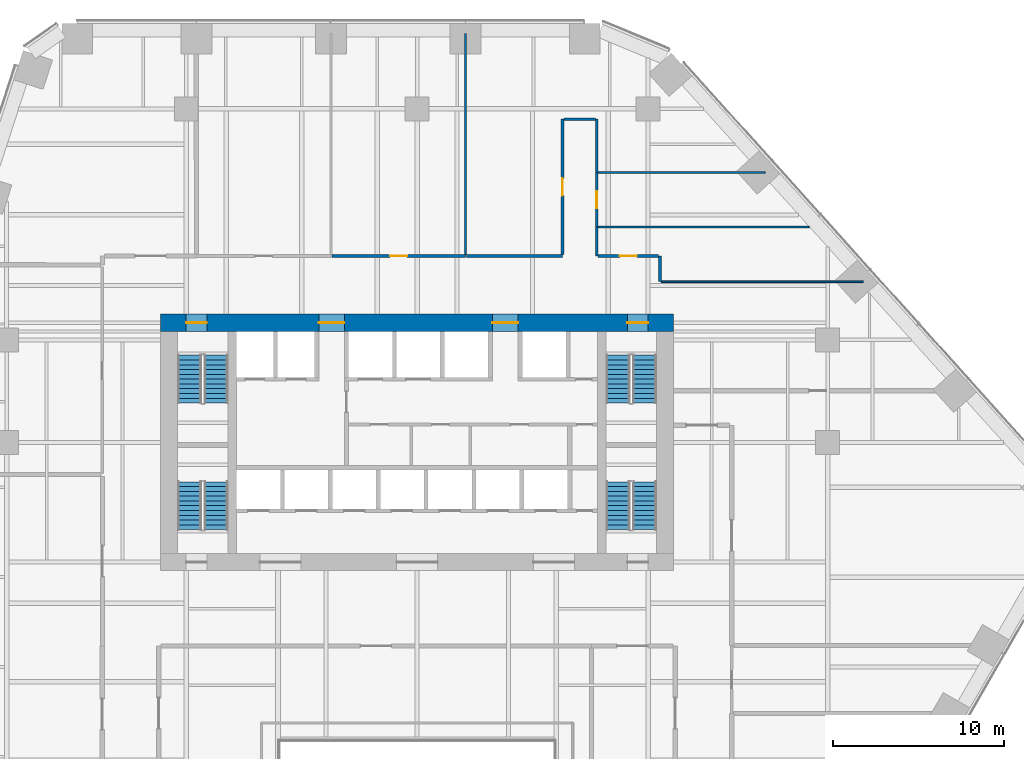
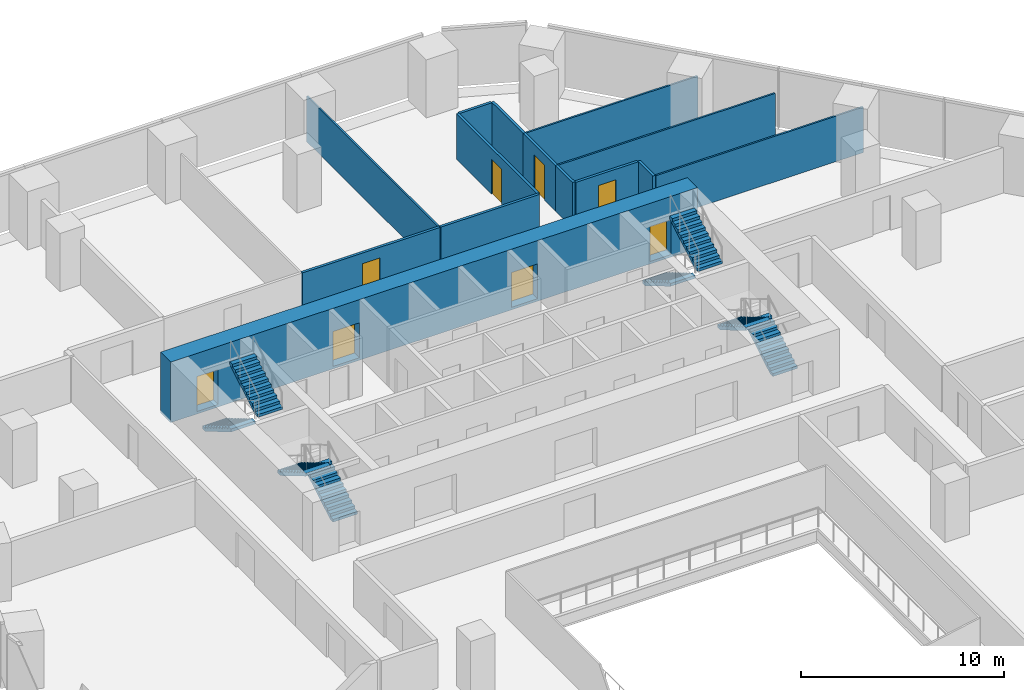
# One storey, part 16 of 20: 14 walls, 8 doors, 8 stair flights, 8 openings, 4 elements without a shape of their own.
"""IFC4 building model written with IfcOpenShell, lengths in metres."""

import ifcopenshell
import ifcopenshell.guid

model = None  # the IFC model being written
_history = None  # IfcOwnerHistory: only IFC2X3 demands one
_inside = {}  # id of a spatial element -> (the spatial element, [elements in it])
_under = {}  # id of a project, library or spatial element -> (it, [spatial elements below it])
_declared = {}  # id of a project -> (the project, [libraries it declares])
_typed = {}  # id of a type object -> (the type object, [elements of that type])
_made_of = {}  # id of a material, layer set ... -> (it, [elements and type objects made of it])


def new_model(schema):
    """Start an empty IFC model of exactly this schema.

    Asked for "IFC4X3", IfcOpenShell would pick the latest addendum, in which some entities
    have other attributes; the version numbers below select the first issue.
    IFC2X3 requires an IfcOwnerHistory on every rooted entity: one is made here for all.
    """
    global model, _history
    if schema == "IFC4X3":
        model = ifcopenshell.file(schema_version=(4, 3, 0, 0))
    else:
        model = ifcopenshell.file(schema=schema)
    _inside.clear()
    _under.clear()
    _declared.clear()
    _typed.clear()
    _made_of.clear()
    _history = None
    if model.schema == "IFC2X3":
        org = make("IfcOrganization", Name="unknown")
        user = make(
            "IfcPersonAndOrganization",
            ThePerson=make("IfcPerson", FamilyName="unknown"),
            TheOrganization=org,
        )
        app = make(
            "IfcApplication",
            ApplicationDeveloper=org,
            Version="unknown",
            ApplicationFullName="unknown",
            ApplicationIdentifier="unknown",
        )
        _history = make(
            "IfcOwnerHistory",
            OwningUser=user,
            OwningApplication=app,
            ChangeAction="ADDED",
            CreationDate=0,
        )
    return model


def make(cls, **values):
    """One entity of the class cls with the attributes given. An attribute that is None is left unset."""
    return model.create_entity(
        cls, **{name: value for name, value in values.items() if value is not None}
    )


def rooted(cls, **values):
    """An entity with a GlobalId (a new one), such as an element, a storey or a relation."""
    return make(cls, GlobalId=ifcopenshell.guid.new(), OwnerHistory=_history, **values)


def si_unit(unit_type, name, prefix=None):
    """IfcSIUnit, for example si_unit("LENGTHUNIT", "METRE", prefix="MILLI")."""
    return make("IfcSIUnit", UnitType=unit_type, Prefix=prefix, Name=name)


def assignment(units):
    """IfcUnitAssignment: the units of a project."""
    return None if units is None else make("IfcUnitAssignment", Units=units)


def point(xyz):
    """IfcCartesianPoint."""
    return None if xyz is None else make("IfcCartesianPoint", Coordinates=xyz)


def direction(xyz):
    """IfcDirection."""
    return None if xyz is None else make("IfcDirection", DirectionRatios=xyz)


def frame(location, z_axis=None, x_axis=None):
    """IfcAxis2Placement3D, a coordinate frame: its origin and axes. An axis left out is left unset."""
    return make(
        "IfcAxis2Placement3D",
        Location=point(location),
        Axis=direction(z_axis),
        RefDirection=direction(x_axis),
    )


def frame_2d(location, x_axis=None):
    """IfcAxis2Placement2D, a coordinate frame in the plane: its origin and x axis."""
    return make(
        "IfcAxis2Placement2D", Location=point(location), RefDirection=direction(x_axis)
    )


def origin():
    """The frame at (0, 0, 0) with its axes left unset."""
    return frame((0.0, 0.0, 0.0))


def place(relative_to, where):
    """IfcLocalPlacement: puts the frame where relative to a parent placement (None: the world)."""
    return make(
        "IfcLocalPlacement", PlacementRelTo=relative_to, RelativePlacement=where
    )


def context(
    kind, dimensions, precision=None, world=None, true_north=None, identifier=None
):
    """IfcGeometricRepresentationContext, for example the 3D "Model" context."""
    return make(
        "IfcGeometricRepresentationContext",
        ContextIdentifier=identifier,
        ContextType=kind,
        CoordinateSpaceDimension=dimensions,
        Precision=precision,
        WorldCoordinateSystem=world,
        TrueNorth=true_north,
    )


def subcontext(parent, identifier, kind, view, scale=None):
    """IfcGeometricRepresentationSubContext, for example "Body" below "Model"."""
    return make(
        "IfcGeometricRepresentationSubContext",
        ContextIdentifier=identifier,
        ContextType=kind,
        ParentContext=parent,
        TargetScale=scale,
        TargetView=view,
    )


def project(units=None, contexts=None):
    """IfcProject with its units and contexts."""
    return rooted(
        "IfcProject",
        Name="project",
        RepresentationContexts=contexts,
        UnitsInContext=assignment(units),
    )


def spatial(cls, under=None, at=None, **own):
    """A site, building, storey or space (cls), placed at a placement, below another one or the project."""
    s = rooted(cls, ObjectPlacement=at, **own)
    if under is not None:
        _under.setdefault(under.id(), (under, []))[1].append(s)
    return s


def polyline(points):
    """IfcPolyline through the points."""
    return make("IfcPolyline", Points=[point(p) for p in points])


def profile(cls, at=None, kind="AREA", **sizes):
    """A parametric profile (cls). Its sizes go by their IFC names, for example OverallWidth=200.0."""
    return make(cls, ProfileType=kind, Position=at, **sizes)


def rectangle(**sizes):
    """IfcRectangleProfileDef."""
    return profile("IfcRectangleProfileDef", **sizes)


def outline(outer, holes=None, kind="AREA"):
    """IfcArbitraryClosedProfileDef: a profile drawn as a closed curve; with holes, ...WithVoids."""
    if holes is None:
        return make("IfcArbitraryClosedProfileDef", ProfileType=kind, OuterCurve=outer)
    return make(
        "IfcArbitraryProfileDefWithVoids",
        ProfileType=kind,
        OuterCurve=outer,
        InnerCurves=holes,
    )


def extrude(swept, where, along, depth):
    """IfcExtrudedAreaSolid: the profile swept, set in the frame where, extruded along a direction by depth."""
    return make(
        "IfcExtrudedAreaSolid",
        SweptArea=swept,
        Position=where,
        ExtrudedDirection=direction(along),
        Depth=depth,
    )


def shape(context_of_items, identifier, shape_type, items):
    """IfcShapeRepresentation: the items that make up one representation, for example the "Body"."""
    return make(
        "IfcShapeRepresentation",
        ContextOfItems=context_of_items,
        RepresentationIdentifier=identifier,
        RepresentationType=shape_type,
        Items=items,
    )


def material(Name=None, Category=None):
    """IfcMaterial."""
    return make("IfcMaterial", Name=Name, Category=Category)


def layer(
    of_material, thickness, ventilated=None, Name=None, Category=None, Priority=None
):
    """IfcMaterialLayer: one layer of a wall or slab, of a material (None: an air gap)."""
    return make(
        "IfcMaterialLayer",
        Material=of_material,
        LayerThickness=thickness,
        IsVentilated=ventilated,
        Name=Name,
        Category=Category,
        Priority=Priority,
    )


def layer_set(layers, Name=None):
    """IfcMaterialLayerSet."""
    return make("IfcMaterialLayerSet", MaterialLayers=layers, LayerSetName=Name)


def made_of(thing, what):
    """Note that an element or type object is made of a material, layer set ...; save() writes the relation."""
    if what is not None:
        _made_of.setdefault(what.id(), (what, []))[1].append(thing)
    return thing


def type_object(cls, material=None, **own):
    """A type object (cls), such as IfcWallType, which elements share."""
    return made_of(rooted(cls, **own), material)


def element(
    cls,
    number,
    at=None,
    inside=None,
    cuts=None,
    type_object=None,
    material=None,
    context=None,
    identifier="Body",
    shape_type=None,
    held_by="IfcProductDefinitionShape",
    body=None,
    shapes=None,
    **own,
):
    """One element of the class cls, such as IfcWall. Its Tag is "e" and its number.

    at: its placement. inside: the storey or other place that contains it. cuts: it is an
    opening in that element (IfcRelVoidsElement). A single representation is given by context,
    identifier, shape_type and body (its items); several are given by shapes. held_by: the class
    of the entity that holds the representations. save() writes the other relations.
    """
    e = rooted(cls, Tag="e%d" % number, ObjectPlacement=at, **own)
    if body is not None:
        shapes = [shape(context, identifier, shape_type, body)]
    if shapes is not None:
        e.Representation = make(held_by, Representations=shapes)
    if inside is not None:
        _inside.setdefault(inside.id(), (inside, []))[1].append(e)
    if cuts is not None:
        rooted(
            "IfcRelVoidsElement", RelatingBuildingElement=cuts, RelatedOpeningElement=e
        )
    if type_object is not None:
        _typed.setdefault(type_object.id(), (type_object, []))[1].append(e)
    return made_of(e, material)


def fill(opening, filler):
    """IfcRelFillsElement: the door or window that sits in an opening."""
    return rooted(
        "IfcRelFillsElement",
        RelatingOpeningElement=opening,
        RelatedBuildingElement=filler,
    )


def aggregate(whole, parts):
    """IfcRelAggregates: a whole, such as a stair, and the parts it consists of."""
    return rooted("IfcRelAggregates", RelatingObject=whole, RelatedObjects=parts)


def save(model, path):
    """Write the relations noted so far, then the file.

    IfcRelAggregates (storeys below a building ...), IfcRelContainedInSpatialStructure (elements
    in a storey), IfcRelDefinesByType, IfcRelAssociatesMaterial and IfcRelDeclares: one each for
    every whole, place, type object, material and project.
    """
    for whole, parts in _under.values():
        aggregate(whole, parts)
    for where, things in _inside.values():
        rooted(
            "IfcRelContainedInSpatialStructure",
            RelatedElements=things,
            RelatingStructure=where,
        )
    for kind, things in _typed.values():
        rooted("IfcRelDefinesByType", RelatedObjects=things, RelatingType=kind)
    for what, things in _made_of.values():
        rooted("IfcRelAssociatesMaterial", RelatedObjects=things, RelatingMaterial=what)
    for by, libraries in _declared.values():
        rooted("IfcRelDeclares", RelatingContext=by, RelatedDefinitions=libraries)
    model.write(path)


model = new_model("IFC4")

# Units and contexts
model_context = context("Model", 3, precision=1e-05, world=origin(), true_north=direction((0.0, 1.0)))
body_context = subcontext(model_context, "Body", "Model", "MODEL_VIEW")
ifc_project = project(units=[si_unit("LENGTHUNIT", "METRE"), si_unit("AREAUNIT", "SQUARE_METRE"), si_unit("VOLUMEUNIT", "CUBIC_METRE"), si_unit("PLANEANGLEUNIT", "RADIAN"), si_unit("MASSUNIT", "GRAM", prefix="KILO")], contexts=[model_context])

# Site, building, storey
site_placement = place(None, origin())
site = spatial("IfcSite", under=ifc_project, at=site_placement, CompositionType="ELEMENT")
building_placement = place(site_placement, origin())
building = spatial("IfcBuilding", under=site, at=building_placement, Name="Isthmus Gate Tower", CompositionType="ELEMENT")
storey_placement = place(building_placement, frame((0.0, 0.0, 43.300048828125)))
storey = spatial("IfcBuildingStorey", under=building, at=storey_placement, Name="L08", CompositionType="ELEMENT", Elevation=43.300048828125)

# Wall
ifc_material_1 = material(Name="Gypsum board on steel studs, fire-rated", Category="steel")
ifc_layer_1 = layer(ifc_material_1, 0.14990234375)
ifc_layer_set_1 = layer_set([ifc_layer_1], Name="CORRIDOR WALL 150 60 MIN")
wall_type_1 = type_object("IfcWallType", Name="CORRIDOR WALL 150 60 MIN", PredefinedType="PARTITIONING", material=ifc_layer_set_1)
wall_1_placement = place(storey_placement, frame((10.5, 26.39990234375, 0.0), z_axis=(0.0, 0.0, 1.0), x_axis=(0.0, -1.0, 0.0)))
element("IfcWall", 1, at=wall_1_placement, inside=storey, type_object=wall_type_1, Name="L08 Corridor Wall 150 60 Min", PredefinedType="PARTITIONING", context=body_context, shape_type="SweptSolid", body=[
    extrude(rectangle(XDim=3.116943359375, YDim=0.14990234375, at=frame_2d((1.55859375, 0.0))), origin(), (0.0, 0.0, 1.0), 2.7412109375),
])

# Wall, opening, door
wall_2_placement = place(storey_placement, frame((10.5, 23.282958984375, 0.0), z_axis=(0.0, 0.0, 1.0), x_axis=(0.0, -1.0, 0.0)))
wall_2 = element("IfcWall", 2, at=wall_2_placement, inside=storey, type_object=wall_type_1, Name="L08 Corridor Wall 150 60 Min", PredefinedType="PARTITIONING", context=body_context, shape_type="SweptSolid", body=[
    extrude(rectangle(XDim=3.19091796875, YDim=0.14990234375, at=frame_2d((1.595458984375, 0.0))), origin(), (0.0, 0.0, 1.0), 2.7412109375),
])
opening_1_placement = place(wall_2_placement, frame((1.095458984375, 0.0, 0.0)))
opening_1 = element("IfcOpeningElement", 3, at=opening_1_placement, cuts=wall_2, Name="Opening DT-T1A-05", PredefinedType="OPENING", context=body_context, shape_type="SweptSolid", body=[
    extrude(rectangle(XDim=1.0, YDim=2.10009765625, at=frame_2d((0.5, 1.050048828125))), frame((0.0, 0.0849609375, 0.0), z_axis=(0.0, -1.0, 0.0), x_axis=(1.0, 0.0, 0.0)), (0.0, 0.0, 1.0), 0.169921875),
])
ifc_material_2 = material(Name="Solid core timber door leaf, fire-rated", Category="wood")
door_type_1 = type_object("IfcDoorType", Name="FIRE DOOR ROOM 1000 X 2100 60 MIN", OperationType="SINGLE_SWING_LEFT", PredefinedType="DOOR", material=ifc_material_2)
door_1_placement = place(opening_1_placement, origin())
door_1 = element("IfcDoor", 4, at=door_1_placement, inside=storey, type_object=door_type_1, Name="L08 room door", OperationType="SINGLE_SWING_RIGHT", OverallHeight=2.10009765625, OverallWidth=1.0, PredefinedType="DOOR", context=body_context, shape_type="SweptSolid", body=[
    extrude(rectangle(XDim=1.0, YDim=2.10009765625, at=frame_2d((0.5, 1.050048828125))), frame((0.0, 0.02490234375, 0.0), z_axis=(0.0, -1.0, 0.0), x_axis=(1.0, 0.0, 0.0)), (0.0, 0.0, 1.0), 0.050048828125),
])
fill(opening_1, door_1)

# Walls
wall_3_placement = place(storey_placement, frame((10.5, 20.092041015625, 0.0), z_axis=(0.0, 0.0, 1.0), x_axis=(0.0, -1.0, 0.0)))
element("IfcWall", 5, at=wall_3_placement, inside=storey, type_object=wall_type_1, Name="L08 Corridor Wall 150 60 Min", PredefinedType="PARTITIONING", context=body_context, shape_type="SweptSolid", body=[
    extrude(rectangle(XDim=1.692138671875, YDim=0.14990234375, at=frame_2d((0.84619140625, 0.0))), origin(), (0.0, 0.0, 1.0), 2.7412109375),
])
wall_4_placement = place(storey_placement, frame((14.199951171875, 18.39990234375, 0.0), z_axis=(0.0, 0.0, 1.0), x_axis=(0.0, -1.0, 0.0)))
element("IfcWall", 6, at=wall_4_placement, inside=storey, type_object=wall_type_1, Name="L08 Corridor Wall 150 60 Min", PredefinedType="PARTITIONING", context=body_context, shape_type="SweptSolid", body=[
    extrude(rectangle(XDim=1.5, YDim=0.14990234375, at=frame_2d((0.75, 0.0))), origin(), (0.0, 0.0, 1.0), 2.7412109375),
])

# Wall, opening, door
wall_5_placement = place(storey_placement, frame((-4.987060546875, 18.39990234375, 0.0), z_axis=(0.0, 0.0, 1.0), x_axis=(1.0, 0.0, 0.0)))
wall_5 = element("IfcWall", 7, at=wall_5_placement, inside=storey, type_object=wall_type_1, Name="L08 Corridor Wall 150 60 Min", PredefinedType="PARTITIONING", context=body_context, shape_type="SweptSolid", body=[
    extrude(rectangle(XDim=7.819091796875, YDim=0.14990234375, at=frame_2d((3.90966796875, 0.0))), origin(), (0.0, 0.0, 1.0), 2.7412109375),
])
opening_2_placement = place(wall_5_placement, frame((3.409423828125, 0.0, 0.0)))
opening_2 = element("IfcOpeningElement", 8, at=opening_2_placement, cuts=wall_5, Name="Opening DT-T1A-03", PredefinedType="OPENING", context=body_context, shape_type="SweptSolid", body=[
    extrude(rectangle(XDim=1.0, YDim=2.10009765625, at=frame_2d((0.5, 1.050048828125))), frame((0.0, 0.0849609375, 0.0), z_axis=(0.0, -1.0, 0.0), x_axis=(1.0, 0.0, 0.0)), (0.0, 0.0, 1.0), 0.169921875),
])
door_2_placement = place(opening_2_placement, origin())
door_2 = element("IfcDoor", 9, at=door_2_placement, inside=storey, type_object=door_type_1, Name="L08 room door", OperationType="SINGLE_SWING_RIGHT", OverallHeight=2.10009765625, OverallWidth=1.0, PredefinedType="DOOR", context=body_context, shape_type="SweptSolid", body=[
    extrude(rectangle(XDim=1.0, YDim=2.10009765625, at=frame_2d((0.5, 1.050048828125))), frame((0.0, 0.02490234375, 0.0), z_axis=(0.0, -1.0, 0.0), x_axis=(1.0, 0.0, 0.0)), (0.0, 0.0, 1.0), 0.050048828125),
])
fill(opening_2, door_2)

# Wall
wall_6_placement = place(storey_placement, frame((2.882080078125, 18.39990234375, 0.0), z_axis=(0.0, 0.0, 1.0), x_axis=(1.0, 0.0, 0.0)))
element("IfcWall", 10, at=wall_6_placement, inside=storey, type_object=wall_type_1, Name="L08 Corridor Wall 150 60 Min", PredefinedType="PARTITIONING", context=body_context, shape_type="SweptSolid", body=[
    extrude(rectangle(XDim=5.617919921875, YDim=0.14990234375, at=frame_2d((2.80908203125, 0.0))), origin(), (0.0, 0.0, 1.0), 2.7412109375),
])

# Wall, opening, door
wall_7_placement = place(storey_placement, frame((8.5, 18.47509765625, 0.0), z_axis=(0.0, 0.0, 1.0), x_axis=(0.0, 1.0, 0.0)))
wall_7 = element("IfcWall", 11, at=wall_7_placement, inside=storey, type_object=wall_type_1, Name="L08 Corridor Wall 150 60 Min", PredefinedType="PARTITIONING", context=body_context, shape_type="SweptSolid", body=[
    extrude(rectangle(XDim=7.9248046875, YDim=0.14990234375, at=frame_2d((3.96240234375, 0.0))), origin(), (0.0, 0.0, 1.0), 2.7412109375),
])
opening_3_placement = place(wall_7_placement, frame((3.46240234375, 0.0, 0.0)))
opening_3 = element("IfcOpeningElement", 12, at=opening_3_placement, cuts=wall_7, Name="Opening DT-T1A-04", PredefinedType="OPENING", context=body_context, shape_type="SweptSolid", body=[
    extrude(rectangle(XDim=1.0, YDim=2.10009765625, at=frame_2d((0.5, 1.050048828125))), frame((0.0, 0.0849609375, 0.0), z_axis=(0.0, -1.0, 0.0), x_axis=(1.0, 0.0, 0.0)), (0.0, 0.0, 1.0), 0.169921875),
])
door_3_placement = place(opening_3_placement, origin())
door_3 = element("IfcDoor", 13, at=door_3_placement, inside=storey, type_object=door_type_1, Name="L08 room door", OperationType="SINGLE_SWING_RIGHT", OverallHeight=2.10009765625, OverallWidth=1.0, PredefinedType="DOOR", context=body_context, shape_type="SweptSolid", body=[
    extrude(rectangle(XDim=1.0, YDim=2.10009765625, at=frame_2d((0.5, 1.050048828125))), frame((0.0, 0.02490234375, 0.0), z_axis=(0.0, -1.0, 0.0), x_axis=(1.0, 0.0, 0.0)), (0.0, 0.0, 1.0), 0.050048828125),
])
fill(opening_3, door_3)

# Wall
wall_8_placement = place(storey_placement, frame((8.574951171875, 26.39990234375, 0.0), z_axis=(0.0, 0.0, 1.0), x_axis=(1.0, 0.0, 0.0)))
element("IfcWall", 14, at=wall_8_placement, inside=storey, type_object=wall_type_1, Name="L08 Corridor Wall 150 60 Min", PredefinedType="PARTITIONING", context=body_context, shape_type="SweptSolid", body=[
    extrude(rectangle(XDim=1.85009765625, YDim=0.14990234375, at=frame_2d((0.925048828125, 0.0))), origin(), (0.0, 0.0, 1.0), 2.7412109375),
])

# Wall, opening, door
wall_9_placement = place(storey_placement, frame((10.574951171875, 18.39990234375, 0.0), z_axis=(0.0, 0.0, 1.0), x_axis=(1.0, 0.0, 0.0)))
wall_9 = element("IfcWall", 15, at=wall_9_placement, inside=storey, type_object=wall_type_1, Name="L08 Corridor Wall 150 60 Min", PredefinedType="PARTITIONING", context=body_context, shape_type="SweptSolid", body=[
    extrude(rectangle(XDim=3.550048828125, YDim=0.14990234375, at=frame_2d((1.77490234375, 0.0))), origin(), (0.0, 0.0, 1.0), 2.7412109375),
])
opening_4_placement = place(wall_9_placement, frame((1.27490234375, 0.0, 0.0)))
opening_4 = element("IfcOpeningElement", 16, at=opening_4_placement, cuts=wall_9, Name="Opening DT-T1A-06", PredefinedType="OPENING", context=body_context, shape_type="SweptSolid", body=[
    extrude(rectangle(XDim=1.0, YDim=2.10009765625, at=frame_2d((0.5, 1.050048828125))), frame((0.0, 0.0849609375, 0.0), z_axis=(0.0, -1.0, 0.0), x_axis=(1.0, 0.0, 0.0)), (0.0, 0.0, 1.0), 0.169921875),
])
door_4_placement = place(opening_4_placement, origin())
door_4 = element("IfcDoor", 17, at=door_4_placement, inside=storey, type_object=door_type_1, Name="L08 room door", OperationType="SINGLE_SWING_RIGHT", OverallHeight=2.10009765625, OverallWidth=1.0, PredefinedType="DOOR", context=body_context, shape_type="SweptSolid", body=[
    extrude(rectangle(XDim=1.0, YDim=2.10009765625, at=frame_2d((0.5, 1.050048828125))), frame((0.0, 0.02490234375, 0.0), z_axis=(0.0, -1.0, 0.0), x_axis=(1.0, 0.0, 0.0)), (0.0, 0.0, 1.0), 0.050048828125),
])
fill(opening_4, door_4)

# Wall, openings, doors
ifc_material_3 = material(Name="Concrete f'c 70 MPa", Category="concrete")
ifc_layer_2 = layer(ifc_material_3, 1.0)
ifc_layer_set_2 = layer_set([ifc_layer_2], Name="RC CORE WALL 1000 F'C 70")
wall_type_2 = type_object("IfcWallType", Name="RC CORE WALL 1000 F'C 70", PredefinedType="SOLIDWALL", material=ifc_layer_set_2)
wall_10_placement = place(storey_placement, frame((-15.0, 14.5, -0.150146484375), z_axis=(0.0, 0.0, 1.0), x_axis=(1.0, 0.0, 0.0)))
wall_10 = element("IfcWall", 18, at=wall_10_placement, inside=storey, type_object=wall_type_2, Name="str-corewall-L08-N", PredefinedType="SOLIDWALL", context=body_context, shape_type="SweptSolid", body=[
    extrude(rectangle(XDim=30.0, YDim=1.0, at=frame_2d((15.0, 0.0))), origin(), (0.0, 0.0, 1.0), 3.650146484375),
])
opening_5_placement = place(wall_10_placement, frame((9.25, 0.0, 0.14990234375)))
opening_5 = element("IfcOpeningElement", 19, at=opening_5_placement, cuts=wall_10, Name="Opening DC-A05-11", PredefinedType="OPENING", context=body_context, shape_type="SweptSolid", body=[
    extrude(rectangle(XDim=1.5, YDim=2.10009765625, at=frame_2d((0.75, 1.050048828125))), frame((0.0, 0.510009765625, 0.0), z_axis=(0.0, -1.0, 0.0), x_axis=(1.0, 0.0, 0.0)), (0.0, 0.0, 1.0), 1.02001953125),
])
opening_6_placement = place(wall_10_placement, frame((19.39990234375, 0.0, 0.14990234375)))
opening_6 = element("IfcOpeningElement", 20, at=opening_6_placement, cuts=wall_10, Name="Opening DC-A05-12", PredefinedType="OPENING", context=body_context, shape_type="SweptSolid", body=[
    extrude(rectangle(XDim=1.5, YDim=2.10009765625, at=frame_2d((0.75, 1.050048828125))), frame((0.0, 0.510009765625, 0.0), z_axis=(0.0, -1.0, 0.0), x_axis=(1.0, 0.0, 0.0)), (0.0, 0.0, 1.0), 1.02001953125),
])
opening_7_placement = place(wall_10_placement, frame((1.5, 0.0, 0.14990234375)))
opening_7 = element("IfcOpeningElement", 21, at=opening_7_placement, cuts=wall_10, Name="Opening DC-A05-13", PredefinedType="OPENING", context=body_context, shape_type="SweptSolid", body=[
    extrude(rectangle(XDim=1.199951171875, YDim=2.10009765625, at=frame_2d((0.60009765625, 1.050048828125))), frame((0.0, 0.510009765625, 0.0), z_axis=(0.0, -1.0, 0.0), x_axis=(1.0, 0.0, 0.0)), (0.0, 0.0, 1.0), 1.02001953125),
])
opening_8_placement = place(wall_10_placement, frame((27.300048828125, 0.0, 0.14990234375)))
opening_8 = element("IfcOpeningElement", 22, at=opening_8_placement, cuts=wall_10, Name="Opening DC-A05-14", PredefinedType="OPENING", context=body_context, shape_type="SweptSolid", body=[
    extrude(rectangle(XDim=1.199951171875, YDim=2.10009765625, at=frame_2d((0.60009765625, 1.050048828125))), frame((0.0, 0.510009765625, 0.0), z_axis=(0.0, -1.0, 0.0), x_axis=(1.0, 0.0, 0.0)), (0.0, 0.0, 1.0), 1.02001953125),
])
ifc_material_4 = material(Name="Steel door leaf, fire-rated", Category="steel")
door_type_2 = type_object("IfcDoorType", Name="LOBBY FIRE DOOR 1500 X 2100 60 MIN", OperationType="DOUBLE_DOOR_SINGLE_SWING", PredefinedType="DOOR", material=ifc_material_4)
door_5_placement = place(opening_6_placement, origin())
door_5 = element("IfcDoor", 23, at=door_5_placement, inside=storey, type_object=door_type_2, Name="Lobby Door PN-E", OperationType="DOUBLE_DOOR_SINGLE_SWING", OverallHeight=2.10009765625, OverallWidth=1.5, PredefinedType="DOOR", context=body_context, shape_type="SweptSolid", body=[
    extrude(rectangle(XDim=1.5, YDim=2.10009765625, at=frame_2d((0.75, 1.050048828125))), frame((0.0, 0.02490234375, 0.0), z_axis=(0.0, -1.0, 0.0), x_axis=(1.0, 0.0, 0.0)), (0.0, 0.0, 1.0), 0.050048828125),
])
fill(opening_6, door_5)
ifc_material_5 = material(Name="Steel door leaf, fire-rated", Category="steel")
door_type_3 = type_object("IfcDoorType", Name="LOBBY FIRE DOOR 1500 X 2100 90 MIN", OperationType="DOUBLE_DOOR_SINGLE_SWING", PredefinedType="DOOR", material=ifc_material_5)
door_6_placement = place(opening_5_placement, origin())
door_6 = element("IfcDoor", 24, at=door_6_placement, inside=storey, type_object=door_type_3, Name="Lobby Door PN-W", OperationType="DOUBLE_DOOR_SINGLE_SWING", OverallHeight=2.10009765625, OverallWidth=1.5, PredefinedType="DOOR", context=body_context, shape_type="SweptSolid", body=[
    extrude(rectangle(XDim=1.5, YDim=2.10009765625, at=frame_2d((0.75, 1.050048828125))), frame((0.0, 0.02490234375, 0.0), z_axis=(0.0, -1.0, 0.0), x_axis=(1.0, 0.0, 0.0)), (0.0, 0.0, 1.0), 0.050048828125),
])
fill(opening_5, door_6)
ifc_material_6 = material(Name="Steel door leaf, fire-rated", Category="steel")
door_type_4 = type_object("IfcDoorType", Name="STAIR FIRE DOOR 1200 X 2100 90 MIN", OperationType="SINGLE_SWING_LEFT", PredefinedType="DOOR", material=ifc_material_6)
door_7_placement = place(opening_7_placement, origin())
door_7 = element("IfcDoor", 25, at=door_7_placement, inside=storey, type_object=door_type_4, Name="Exit Stair 1 Door", OperationType="SINGLE_SWING_RIGHT", OverallHeight=2.10009765625, OverallWidth=1.199951171875, PredefinedType="DOOR", context=body_context, shape_type="SweptSolid", body=[
    extrude(rectangle(XDim=1.199951171875, YDim=2.10009765625, at=frame_2d((0.60009765625, 1.050048828125))), frame((0.0, 0.02490234375, 0.0), z_axis=(0.0, -1.0, 0.0), x_axis=(1.0, 0.0, 0.0)), (0.0, 0.0, 1.0), 0.050048828125),
])
fill(opening_7, door_7)
door_8_placement = place(opening_8_placement, origin())
door_8 = element("IfcDoor", 26, at=door_8_placement, inside=storey, type_object=door_type_4, Name="Exit Stair 2 Door", OperationType="SINGLE_SWING_LEFT", OverallHeight=2.10009765625, OverallWidth=1.199951171875, PredefinedType="DOOR", context=body_context, shape_type="SweptSolid", body=[
    extrude(rectangle(XDim=1.199951171875, YDim=2.10009765625, at=frame_2d((0.60009765625, 1.050048828125))), frame((0.0, 0.02490234375, 0.0), z_axis=(0.0, -1.0, 0.0), x_axis=(1.0, 0.0, 0.0)), (0.0, 0.0, 1.0), 0.050048828125),
])
fill(opening_8, door_8)

# Walls
ifc_material_7 = material(Name="Gypsum board on steel studs, fire-rated", Category="steel")
ifc_layer_3 = layer(ifc_material_7, 0.10009765625)
ifc_layer_set_3 = layer_set([ifc_layer_3], Name="ROOM PARTITION 100 30 MIN")
wall_type_3 = type_object("IfcWallType", Name="ROOM PARTITION 100 30 MIN", PredefinedType="PARTITIONING", material=ifc_layer_set_3)
wall_11_placement = place(storey_placement, frame((2.83203125, 18.47509765625, 0.0), z_axis=(0.0, 0.0, 1.0), x_axis=(0.0, 1.0, 0.0)))
element("IfcWall", 27, at=wall_11_placement, inside=storey, type_object=wall_type_3, Name="L08 Room Partition 100 30 Min", PredefinedType="PARTITIONING", context=body_context, shape_type="SweptSolid", body=[
    extrude(rectangle(XDim=12.9248046875, YDim=0.10009765625, at=frame_2d((6.46240234375, 0.0))), origin(), (0.0, 0.0, 1.0), 2.7412109375),
])
wall_12_placement = place(storey_placement, frame((10.574951171875, 23.282958984375, 0.0), z_axis=(0.0, 0.0, 1.0), x_axis=(1.0, 0.0, 0.0)))
element("IfcWall", 28, at=wall_12_placement, inside=storey, type_object=wall_type_3, Name="L08 Room Partition 100 30 Min", PredefinedType="PARTITIONING", context=body_context, shape_type="SweptSolid", body=[
    extrude(rectangle(XDim=9.77197265625, YDim=0.10009765625, at=frame_2d((4.885986328125, 0.0))), origin(), (0.0, 0.0, 1.0), 2.7412109375),
])
wall_13_placement = place(storey_placement, frame((10.574951171875, 20.092041015625, 0.0), z_axis=(0.0, 0.0, 1.0), x_axis=(1.0, 0.0, 0.0)))
element("IfcWall", 29, at=wall_13_placement, inside=storey, type_object=wall_type_3, Name="L08 Room Partition 100 30 Min", PredefinedType="PARTITIONING", context=body_context, shape_type="SweptSolid", body=[
    extrude(rectangle(XDim=12.345947265625, YDim=0.10009765625, at=frame_2d((6.1728515625, 0.0))), origin(), (0.0, 0.0, 1.0), 2.7412109375),
])
wall_14_placement = place(storey_placement, frame((14.27490234375, 16.89990234375, 0.0), z_axis=(0.0, 0.0, 1.0), x_axis=(1.0, 0.0, 0.0)))
element("IfcWall", 30, at=wall_14_placement, inside=storey, type_object=wall_type_3, Name="L08 Room Partition 100 30 Min", PredefinedType="PARTITIONING", context=body_context, shape_type="SweptSolid", body=[
    extrude(rectangle(XDim=11.820068359375, YDim=0.10009765625, at=frame_2d((5.91015625, 0.0))), origin(), (0.0, 0.0, 1.0), 2.7412109375),
])

# Stair, stair flights
ifc_material_8 = material(Name="Concrete f'c 40 MPa", Category="concrete")
stair_type = type_object("IfcStairType", Name="CORE STAIR 22 RISERS", PredefinedType="HALF_TURN_STAIR", material=ifc_material_8)
stair_1_placement = place(storey_placement, origin())
stair_1 = element("IfcStair", 31, at=stair_1_placement, inside=storey, type_object=stair_type, Name="L08 Exit Stair 1", PredefinedType="HALF_TURN_STAIR")
ifc_material_9 = material(Name="Concrete f'c 40 MPa", Category="concrete")
stair_flight_type = type_object("IfcStairFlightType", Name="STAIR FLIGHT RC 1400", PredefinedType="STRAIGHT", material=ifc_material_9)
stair_flight_1_placement = place(storey_placement, frame((-13.300048828125, 12.60009765625, 0.0), z_axis=(0.0, 0.0, 1.0), x_axis=(0.0, -1.0, 0.0)))
stair_flight_1 = element("IfcStairFlight", 32, at=stair_flight_1_placement, type_object=stair_flight_type, Name="ST1 flight 1", NumberOfRisers=11, NumberOfTreads=10, PredefinedType="STRAIGHT", RiserHeight=0.165909091, TreadLength=0.28, context=body_context, shape_type="SweptSolid", body=[
    extrude(outline(polyline([(0.0, 0.0), (0.0, 0.166015625), (0.280029296875, 0.166015625), (0.280029296875, 0.331787109375), (0.56005859375, 0.331787109375), (0.56005859375, 0.497802734375), (0.840087890625, 0.497802734375), (0.840087890625, 0.66357421875), (1.1201171875, 0.66357421875), (1.1201171875, 0.82958984375), (1.39990234375, 0.82958984375), (1.39990234375, 0.995361328125), (1.679931640625, 0.995361328125), (1.679931640625, 1.161376953125), (1.9599609375, 1.161376953125), (1.9599609375, 1.327392578125), (2.239990234375, 1.327392578125), (2.239990234375, 1.4931640625), (2.52001953125, 1.4931640625), (2.52001953125, 1.6591796875), (2.800048828125, 1.6591796875), (2.800048828125, 1.824951171875), (2.800048828125, 1.48486328125), (0.2939453125, 0.0), (0.0, 0.0)])), frame((0.0, 0.699951171875, 0.0), z_axis=(0.0, -1.0, 0.0), x_axis=(1.0, 0.0, 0.0)), (0.0, 0.0, 1.0), 1.39990234375),
])
stair_flight_2_placement = place(storey_placement, frame((-11.75, 9.800048828125, 1.824951171875), z_axis=(0.0, 0.0, 1.0), x_axis=(0.0, 1.0, 0.0)))
stair_flight_2 = element("IfcStairFlight", 33, at=stair_flight_2_placement, type_object=stair_flight_type, Name="ST1 flight 2", NumberOfRisers=11, NumberOfTreads=10, PredefinedType="STRAIGHT", RiserHeight=0.165909091, TreadLength=0.28, context=body_context, shape_type="SweptSolid", body=[
    extrude(outline(polyline([(0.0, 0.0), (0.0, 0.166015625), (0.280029296875, 0.166015625), (0.280029296875, 0.331787109375), (0.56005859375, 0.331787109375), (0.56005859375, 0.497802734375), (0.840087890625, 0.497802734375), (0.840087890625, 0.66357421875), (1.1201171875, 0.66357421875), (1.1201171875, 0.82958984375), (1.39990234375, 0.82958984375), (1.39990234375, 0.995361328125), (1.679931640625, 0.995361328125), (1.679931640625, 1.161376953125), (1.9599609375, 1.161376953125), (1.9599609375, 1.327392578125), (2.239990234375, 1.327392578125), (2.239990234375, 1.4931640625), (2.52001953125, 1.4931640625), (2.52001953125, 1.6591796875), (2.800048828125, 1.6591796875), (2.800048828125, 1.824951171875), (2.800048828125, 1.48486328125), (0.2939453125, 0.0), (0.0, 0.0)])), frame((0.0, 0.699951171875, 0.0), z_axis=(0.0, -1.0, 0.0), x_axis=(1.0, 0.0, 0.0)), (0.0, 0.0, 1.0), 1.39990234375),
])
aggregate(stair_1, [stair_flight_1, stair_flight_2])

stair_2_placement = place(storey_placement, origin())
stair_2 = element("IfcStair", 34, at=stair_2_placement, inside=storey, type_object=stair_type, Name="L08 Exit Stair 2", PredefinedType="HALF_TURN_STAIR")
stair_flight_3_placement = place(storey_placement, frame((11.75, 12.60009765625, 0.0), z_axis=(0.0, 0.0, 1.0), x_axis=(0.0, -1.0, 0.0)))
stair_flight_3 = element("IfcStairFlight", 35, at=stair_flight_3_placement, type_object=stair_flight_type, Name="ST2 flight 1", NumberOfRisers=11, NumberOfTreads=10, PredefinedType="STRAIGHT", RiserHeight=0.165909091, TreadLength=0.28, context=body_context, shape_type="SweptSolid", body=[
    extrude(outline(polyline([(0.0, 0.0), (0.0, 0.166015625), (0.280029296875, 0.166015625), (0.280029296875, 0.331787109375), (0.56005859375, 0.331787109375), (0.56005859375, 0.497802734375), (0.840087890625, 0.497802734375), (0.840087890625, 0.66357421875), (1.1201171875, 0.66357421875), (1.1201171875, 0.82958984375), (1.39990234375, 0.82958984375), (1.39990234375, 0.995361328125), (1.679931640625, 0.995361328125), (1.679931640625, 1.161376953125), (1.9599609375, 1.161376953125), (1.9599609375, 1.327392578125), (2.239990234375, 1.327392578125), (2.239990234375, 1.4931640625), (2.52001953125, 1.4931640625), (2.52001953125, 1.6591796875), (2.800048828125, 1.6591796875), (2.800048828125, 1.824951171875), (2.800048828125, 1.48486328125), (0.2939453125, 0.0), (0.0, 0.0)])), frame((0.0, 0.699951171875, 0.0), z_axis=(0.0, -1.0, 0.0), x_axis=(1.0, 0.0, 0.0)), (0.0, 0.0, 1.0), 1.39990234375),
])
stair_flight_4_placement = place(storey_placement, frame((13.300048828125, 9.800048828125, 1.824951171875), z_axis=(0.0, 0.0, 1.0), x_axis=(0.0, 1.0, 0.0)))
stair_flight_4 = element("IfcStairFlight", 36, at=stair_flight_4_placement, type_object=stair_flight_type, Name="ST2 flight 2", NumberOfRisers=11, NumberOfTreads=10, PredefinedType="STRAIGHT", RiserHeight=0.165909091, TreadLength=0.28, context=body_context, shape_type="SweptSolid", body=[
    extrude(outline(polyline([(0.0, 0.0), (0.0, 0.166015625), (0.280029296875, 0.166015625), (0.280029296875, 0.331787109375), (0.56005859375, 0.331787109375), (0.56005859375, 0.497802734375), (0.840087890625, 0.497802734375), (0.840087890625, 0.66357421875), (1.1201171875, 0.66357421875), (1.1201171875, 0.82958984375), (1.39990234375, 0.82958984375), (1.39990234375, 0.995361328125), (1.679931640625, 0.995361328125), (1.679931640625, 1.161376953125), (1.9599609375, 1.161376953125), (1.9599609375, 1.327392578125), (2.239990234375, 1.327392578125), (2.239990234375, 1.4931640625), (2.52001953125, 1.4931640625), (2.52001953125, 1.6591796875), (2.800048828125, 1.6591796875), (2.800048828125, 1.824951171875), (2.800048828125, 1.48486328125), (0.2939453125, 0.0), (0.0, 0.0)])), frame((0.0, 0.699951171875, 0.0), z_axis=(0.0, -1.0, 0.0), x_axis=(1.0, 0.0, 0.0)), (0.0, 0.0, 1.0), 1.39990234375),
])
aggregate(stair_2, [stair_flight_3, stair_flight_4])

stair_3_placement = place(storey_placement, origin())
stair_3 = element("IfcStair", 37, at=stair_3_placement, inside=storey, type_object=stair_type, Name="L08 Exit Stair 7", PredefinedType="HALF_TURN_STAIR")
stair_flight_5_placement = place(storey_placement, frame((-11.75, 2.39990234375, 0.0), z_axis=(0.0, 0.0, 1.0), x_axis=(0.0, 1.0, 0.0)))
stair_flight_5 = element("IfcStairFlight", 38, at=stair_flight_5_placement, type_object=stair_flight_type, Name="ST7 flight 1", NumberOfRisers=11, NumberOfTreads=10, PredefinedType="STRAIGHT", RiserHeight=0.165909091, TreadLength=0.28, context=body_context, shape_type="SweptSolid", body=[
    extrude(outline(polyline([(0.0, 0.0), (0.0, 0.166015625), (0.280029296875, 0.166015625), (0.280029296875, 0.331787109375), (0.56005859375, 0.331787109375), (0.56005859375, 0.497802734375), (0.840087890625, 0.497802734375), (0.840087890625, 0.66357421875), (1.1201171875, 0.66357421875), (1.1201171875, 0.82958984375), (1.39990234375, 0.82958984375), (1.39990234375, 0.995361328125), (1.679931640625, 0.995361328125), (1.679931640625, 1.161376953125), (1.9599609375, 1.161376953125), (1.9599609375, 1.327392578125), (2.239990234375, 1.327392578125), (2.239990234375, 1.4931640625), (2.52001953125, 1.4931640625), (2.52001953125, 1.6591796875), (2.800048828125, 1.6591796875), (2.800048828125, 1.824951171875), (2.800048828125, 1.48486328125), (0.2939453125, 0.0), (0.0, 0.0)])), frame((0.0, 0.699951171875, 0.0), z_axis=(0.0, -1.0, 0.0), x_axis=(1.0, 0.0, 0.0)), (0.0, 0.0, 1.0), 1.39990234375),
])
stair_flight_6_placement = place(storey_placement, frame((-13.300048828125, 5.199951171875, 1.824951171875), z_axis=(0.0, 0.0, 1.0), x_axis=(0.0, -1.0, 0.0)))
stair_flight_6 = element("IfcStairFlight", 39, at=stair_flight_6_placement, type_object=stair_flight_type, Name="ST7 flight 2", NumberOfRisers=11, NumberOfTreads=10, PredefinedType="STRAIGHT", RiserHeight=0.165909091, TreadLength=0.28, context=body_context, shape_type="SweptSolid", body=[
    extrude(outline(polyline([(0.0, 0.0), (0.0, 0.166015625), (0.280029296875, 0.166015625), (0.280029296875, 0.331787109375), (0.56005859375, 0.331787109375), (0.56005859375, 0.497802734375), (0.840087890625, 0.497802734375), (0.840087890625, 0.66357421875), (1.1201171875, 0.66357421875), (1.1201171875, 0.82958984375), (1.39990234375, 0.82958984375), (1.39990234375, 0.995361328125), (1.679931640625, 0.995361328125), (1.679931640625, 1.161376953125), (1.9599609375, 1.161376953125), (1.9599609375, 1.327392578125), (2.239990234375, 1.327392578125), (2.239990234375, 1.4931640625), (2.52001953125, 1.4931640625), (2.52001953125, 1.6591796875), (2.800048828125, 1.6591796875), (2.800048828125, 1.824951171875), (2.800048828125, 1.48486328125), (0.2939453125, 0.0), (0.0, 0.0)])), frame((0.0, 0.699951171875, 0.0), z_axis=(0.0, -1.0, 0.0), x_axis=(1.0, 0.0, 0.0)), (0.0, 0.0, 1.0), 1.39990234375),
])
aggregate(stair_3, [stair_flight_5, stair_flight_6])

stair_4_placement = place(storey_placement, origin())
stair_4 = element("IfcStair", 40, at=stair_4_placement, inside=storey, type_object=stair_type, Name="L08 Exit Stair 8", PredefinedType="HALF_TURN_STAIR")
stair_flight_7_placement = place(storey_placement, frame((13.300048828125, 2.39990234375, 0.0), z_axis=(0.0, 0.0, 1.0), x_axis=(0.0, 1.0, 0.0)))
stair_flight_7 = element("IfcStairFlight", 41, at=stair_flight_7_placement, type_object=stair_flight_type, Name="ST8 flight 1", NumberOfRisers=11, NumberOfTreads=10, PredefinedType="STRAIGHT", RiserHeight=0.165909091, TreadLength=0.28, context=body_context, shape_type="SweptSolid", body=[
    extrude(outline(polyline([(0.0, 0.0), (0.0, 0.166015625), (0.280029296875, 0.166015625), (0.280029296875, 0.331787109375), (0.56005859375, 0.331787109375), (0.56005859375, 0.497802734375), (0.840087890625, 0.497802734375), (0.840087890625, 0.66357421875), (1.1201171875, 0.66357421875), (1.1201171875, 0.82958984375), (1.39990234375, 0.82958984375), (1.39990234375, 0.995361328125), (1.679931640625, 0.995361328125), (1.679931640625, 1.161376953125), (1.9599609375, 1.161376953125), (1.9599609375, 1.327392578125), (2.239990234375, 1.327392578125), (2.239990234375, 1.4931640625), (2.52001953125, 1.4931640625), (2.52001953125, 1.6591796875), (2.800048828125, 1.6591796875), (2.800048828125, 1.824951171875), (2.800048828125, 1.48486328125), (0.2939453125, 0.0), (0.0, 0.0)])), frame((0.0, 0.699951171875, 0.0), z_axis=(0.0, -1.0, 0.0), x_axis=(1.0, 0.0, 0.0)), (0.0, 0.0, 1.0), 1.39990234375),
])
stair_flight_8_placement = place(storey_placement, frame((11.75, 5.199951171875, 1.824951171875), z_axis=(0.0, 0.0, 1.0), x_axis=(0.0, -1.0, 0.0)))
stair_flight_8 = element("IfcStairFlight", 42, at=stair_flight_8_placement, type_object=stair_flight_type, Name="ST8 flight 2", NumberOfRisers=11, NumberOfTreads=10, PredefinedType="STRAIGHT", RiserHeight=0.165909091, TreadLength=0.28, context=body_context, shape_type="SweptSolid", body=[
    extrude(outline(polyline([(0.0, 0.0), (0.0, 0.166015625), (0.280029296875, 0.166015625), (0.280029296875, 0.331787109375), (0.56005859375, 0.331787109375), (0.56005859375, 0.497802734375), (0.840087890625, 0.497802734375), (0.840087890625, 0.66357421875), (1.1201171875, 0.66357421875), (1.1201171875, 0.82958984375), (1.39990234375, 0.82958984375), (1.39990234375, 0.995361328125), (1.679931640625, 0.995361328125), (1.679931640625, 1.161376953125), (1.9599609375, 1.161376953125), (1.9599609375, 1.327392578125), (2.239990234375, 1.327392578125), (2.239990234375, 1.4931640625), (2.52001953125, 1.4931640625), (2.52001953125, 1.6591796875), (2.800048828125, 1.6591796875), (2.800048828125, 1.824951171875), (2.800048828125, 1.48486328125), (0.2939453125, 0.0), (0.0, 0.0)])), frame((0.0, 0.699951171875, 0.0), z_axis=(0.0, -1.0, 0.0), x_axis=(1.0, 0.0, 0.0)), (0.0, 0.0, 1.0), 1.39990234375),
])
aggregate(stair_4, [stair_flight_7, stair_flight_8])

save(model, "model.ifc")
